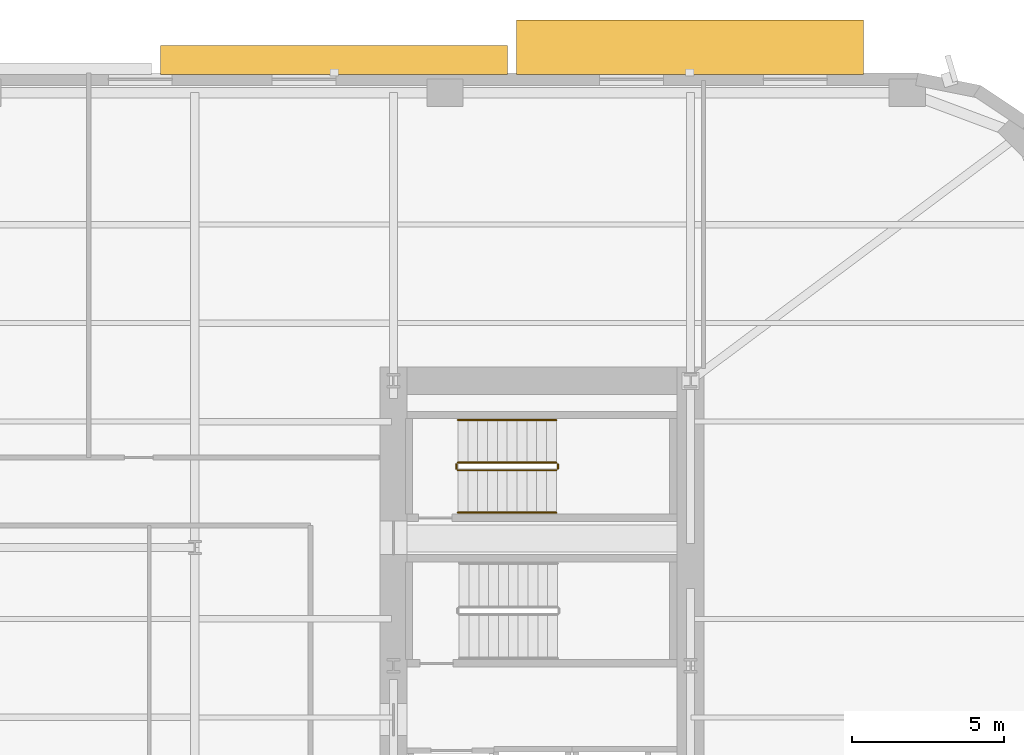
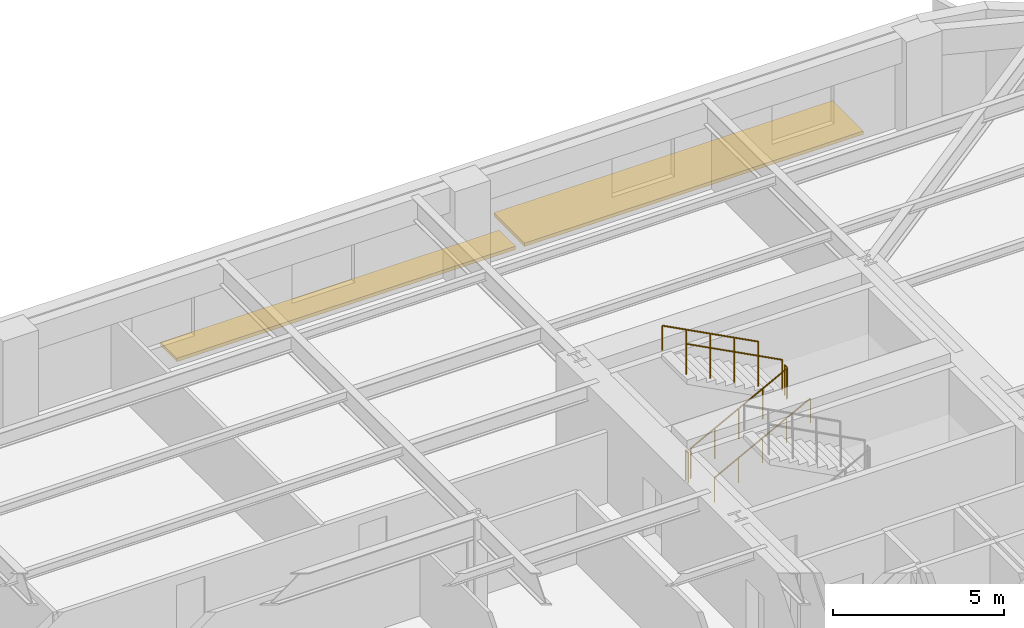
# One storey, part 14 of 15: 6 railings, 2 shading devices.
"""IFC4 building model written with IfcOpenShell, lengths in metres."""

from ifc_helpers import new_model, si_unit, direction, frame, origin, origin_2d, place, context, subcontext, project, spatial, rectangle, circle, extrude, material, type_object, element, save


model = new_model("IFC4")

# Units and contexts
model_context = context("Model", 3, precision=1e-05, world=origin(), true_north=direction((0.0, 1.0)))
body_context = subcontext(model_context, "Body", "Model", "MODEL_VIEW")
ifc_project = project(units=[si_unit("LENGTHUNIT", "METRE"), si_unit("AREAUNIT", "SQUARE_METRE"), si_unit("VOLUMEUNIT", "CUBIC_METRE"), si_unit("PLANEANGLEUNIT", "RADIAN"), si_unit("MASSUNIT", "GRAM", prefix="KILO")], contexts=[model_context])

# Site, building, storey
site_placement = place(None, origin())
site = spatial("IfcSite", under=ifc_project, at=site_placement, CompositionType="ELEMENT")
building_placement = place(site_placement, origin())
building = spatial("IfcBuilding", under=site, at=building_placement, Name="Kolvaren Arena Tower", CompositionType="ELEMENT")
storey_placement = place(building_placement, frame((0.0, 0.0, 72.0)))
storey = spatial("IfcBuildingStorey", under=building, at=storey_placement, Name="L15", CompositionType="ELEMENT", Elevation=72.0)

# Railings
ifc_material_1 = material(Name="Painted galvanized steel", Category="steel")
railing_type_1 = type_object("IfcRailingType", Name="GUARD-ST-110", PredefinedType="GUARDRAIL", material=ifc_material_1)
railing_1_placement = place(storey_placement, frame((52.679931640625, 36.39990234375, 0.17041015625)))
element("IfcRailing", 1, at=railing_1_placement, inside=storey, type_object=railing_type_1, Name="L15 ST-E2 stair guard 1", PredefinedType="GUARDRAIL", context=body_context, shape_type="SweptSolid", body=[
    extrude(circle(Radius=0.02392578125, at=origin_2d()), frame((0.0, 0.0, 1.076171875), z_axis=(0.884993431791, 0.0, 0.465603506952), x_axis=(0.0, 1.0, 0.0)), (0.0, 0.0, 1.0), 3.6611328125),
    extrude(circle(Radius=0.02099609375, at=origin_2d()), origin(), (0.0, 0.0, 1.0), 1.052001953125),
    extrude(circle(Radius=0.02099609375, at=origin_2d()), frame((0.81005859375, 0.0, 0.42626953125)), (0.0, 0.0, 1.0), 1.052001953125),
    extrude(circle(Radius=0.02099609375, at=origin_2d()), frame((1.6201171875, 0.0, 0.852294921875)), (0.0, 0.0, 1.0), 1.052001953125),
    extrude(circle(Radius=0.02099609375, at=origin_2d()), frame((2.429931640625, 0.0, 1.2783203125)), (0.0, 0.0, 1.0), 1.052001953125),
    extrude(circle(Radius=0.02099609375, at=origin_2d()), frame((3.239990234375, 0.0, 1.70458984375)), (0.0, 0.0, 1.0), 1.052001953125),
])
railing_2_placement = place(storey_placement, frame((55.969970703125, 36.449951171875, 1.875)))
element("IfcRailing", 2, at=railing_2_placement, inside=storey, type_object=railing_type_1, Name="L15 ST-E2 stair guard 2", PredefinedType="GUARDRAIL", context=body_context, shape_type="SweptSolid", body=[
    extrude(circle(Radius=0.02392578125, at=origin_2d()), frame((0.0, 0.0, 1.076171875), z_axis=(0.0, 1.0, 0.0), x_axis=(-1.0, 0.0, 0.0)), (0.0, 0.0, 1.0), 0.150146484375),
    extrude(circle(Radius=0.02099609375, at=origin_2d()), origin(), (0.0, 0.0, 1.0), 1.052001953125),
    extrude(circle(Radius=0.02099609375, at=origin_2d()), frame((0.0, 0.150146484375, 0.0)), (0.0, 0.0, 1.0), 1.052001953125),
])
railing_3_placement = place(storey_placement, frame((55.919921875, 36.64990234375, 2.04541015625)))
element("IfcRailing", 3, at=railing_3_placement, inside=storey, type_object=railing_type_1, Name="L15 ST-E2 stair guard 3", PredefinedType="GUARDRAIL", context=body_context, shape_type="SweptSolid", body=[
    extrude(circle(Radius=0.02392578125, at=origin_2d()), frame((0.0, 0.0, 1.076171875), z_axis=(-0.884993431791, 0.0, 0.465603506952), x_axis=(0.0, -1.0, 0.0)), (0.0, 0.0, 1.0), 3.6611328125),
    extrude(circle(Radius=0.02099609375, at=origin_2d()), origin(), (0.0, 0.0, 1.0), 1.052001953125),
    extrude(circle(Radius=0.02099609375, at=origin_2d()), frame((-0.81005859375, 0.0, 0.42626953125)), (0.0, 0.0, 1.0), 1.052001953125),
    extrude(circle(Radius=0.02099609375, at=origin_2d()), frame((-1.6201171875, 0.0, 0.852294921875)), (0.0, 0.0, 1.0), 1.052001953125),
    extrude(circle(Radius=0.02099609375, at=origin_2d()), frame((-2.429931640625, 0.0, 1.2783203125)), (0.0, 0.0, 1.0), 1.052001953125),
    extrude(circle(Radius=0.02099609375, at=origin_2d()), frame((-3.239990234375, 0.0, 1.70458984375)), (0.0, 0.0, 1.0), 1.052001953125),
])
railing_4_placement = place(storey_placement, frame((52.6298828125, 36.449951171875, 0.0)))
element("IfcRailing", 4, at=railing_4_placement, inside=storey, type_object=railing_type_1, Name="L15 ST-E2 stair guard 4", PredefinedType="GUARDRAIL", context=body_context, shape_type="SweptSolid", body=[
    extrude(circle(Radius=0.02392578125, at=origin_2d()), frame((0.0, 0.0, 1.076171875), z_axis=(0.0, 1.0, 0.0), x_axis=(-1.0, 0.0, 0.0)), (0.0, 0.0, 1.0), 0.150146484375),
    extrude(circle(Radius=0.02099609375, at=origin_2d()), origin(), (0.0, 0.0, 1.0), 1.052001953125),
    extrude(circle(Radius=0.02099609375, at=origin_2d()), frame((0.0, 0.150146484375, 0.0)), (0.0, 0.0, 1.0), 1.052001953125),
])
ifc_material_2 = material(Name="Brushed stainless steel handrail", Category="steel")
railing_type_2 = type_object("IfcRailingType", Name="HRAIL-900", PredefinedType="HANDRAIL", material=ifc_material_2)
railing_5_placement = place(storey_placement, frame((52.679931640625, 35.0, 0.17041015625)))
element("IfcRailing", 5, at=railing_5_placement, inside=storey, type_object=railing_type_2, Name="L15 ST-E2 stair handrail 1", PredefinedType="HANDRAIL", context=body_context, shape_type="SweptSolid", body=[
    extrude(circle(Radius=0.02392578125, at=origin_2d()), frame((0.0, 0.0, 0.8759765625), z_axis=(0.884993431791, 0.0, 0.465603506952), x_axis=(0.0, 1.0, 0.0)), (0.0, 0.0, 1.0), 3.6611328125),
    extrude(circle(Radius=0.02099609375, at=origin_2d()), origin(), (0.0, 0.0, 1.0), 0.851806640625),
    extrude(circle(Radius=0.02099609375, at=origin_2d()), frame((0.81005859375, 0.0, 0.42626953125)), (0.0, 0.0, 1.0), 0.851806640625),
    extrude(circle(Radius=0.02099609375, at=origin_2d()), frame((1.6201171875, 0.0, 0.852294921875)), (0.0, 0.0, 1.0), 0.851806640625),
    extrude(circle(Radius=0.02099609375, at=origin_2d()), frame((2.429931640625, 0.0, 1.2783203125)), (0.0, 0.0, 1.0), 0.851806640625),
    extrude(circle(Radius=0.02099609375, at=origin_2d()), frame((3.239990234375, 0.0, 1.70458984375)), (0.0, 0.0, 1.0), 0.851806640625),
])
railing_6_placement = place(storey_placement, frame((55.919921875, 38.050048828125, 2.04541015625)))
element("IfcRailing", 6, at=railing_6_placement, inside=storey, type_object=railing_type_2, Name="L15 ST-E2 stair handrail 2", PredefinedType="HANDRAIL", context=body_context, shape_type="SweptSolid", body=[
    extrude(circle(Radius=0.02392578125, at=origin_2d()), frame((0.0, 0.0, 0.8759765625), z_axis=(-0.884993431791, 0.0, 0.465603506952), x_axis=(0.0, -1.0, 0.0)), (0.0, 0.0, 1.0), 3.6611328125),
    extrude(circle(Radius=0.02099609375, at=origin_2d()), origin(), (0.0, 0.0, 1.0), 0.851806640625),
    extrude(circle(Radius=0.02099609375, at=origin_2d()), frame((-0.81005859375, 0.0, 0.42626953125)), (0.0, 0.0, 1.0), 0.851806640625),
    extrude(circle(Radius=0.02099609375, at=origin_2d()), frame((-1.6201171875, 0.0, 0.852294921875)), (0.0, 0.0, 1.0), 0.851806640625),
    extrude(circle(Radius=0.02099609375, at=origin_2d()), frame((-2.429931640625, 0.0, 1.2783203125)), (0.0, 0.0, 1.0), 0.851806640625),
    extrude(circle(Radius=0.02099609375, at=origin_2d()), frame((-3.239990234375, 0.0, 1.70458984375)), (0.0, 0.0, 1.0), 0.851806640625),
])

# Shading devices
ifc_material_3 = material(Name="Architectural precast GFRC and anodised aluminium sunshade", Category="concrete")
shading_device_type_1 = type_object("IfcShadingDeviceType", Name="SHAD-SINE-A", PredefinedType="USERDEFINED", material=ifc_material_3)
shading_device_1_placement = place(storey_placement, frame((48.590087890625, 49.92529296875, -0.14013671875), z_axis=(0.0, 0.0, 1.0), x_axis=(1.0, 0.0, 0.0)))
element("IfcShadingDevice", 7, at=shading_device_1_placement, inside=storey, type_object=shading_device_type_1, Name="Sinusoidal Slab-Edge Sunshade Louvre (L15)", ObjectType="LOUVRE", PredefinedType="USERDEFINED", context=body_context, shape_type="SweptSolid", body=[
    extrude(rectangle(XDim=11.43994140625, YDim=0.950439453125, at=origin_2d()), origin(), (0.0, 0.0, 1.0), 0.1201171875),
])
shading_device_type_2 = type_object("IfcShadingDeviceType", Name="SHAD-SINE-B", PredefinedType="JALOUSIE", material=ifc_material_3)
shading_device_2_placement = place(storey_placement, frame((60.330078125, 50.34912109375, -0.14013671875), z_axis=(0.0, 0.0, 1.0), x_axis=(1.0, 0.0, 0.0)))
element("IfcShadingDevice", 8, at=shading_device_2_placement, inside=storey, type_object=shading_device_type_2, Name="Sinusoidal Slab-Edge Sunshade Louvre (L15)", PredefinedType="JALOUSIE", context=body_context, shape_type="SweptSolid", body=[
    extrude(rectangle(XDim=11.43994140625, YDim=1.798095703125, at=origin_2d()), origin(), (0.0, 0.0, 1.0), 0.1201171875),
])

save(model, "model.ifc")
